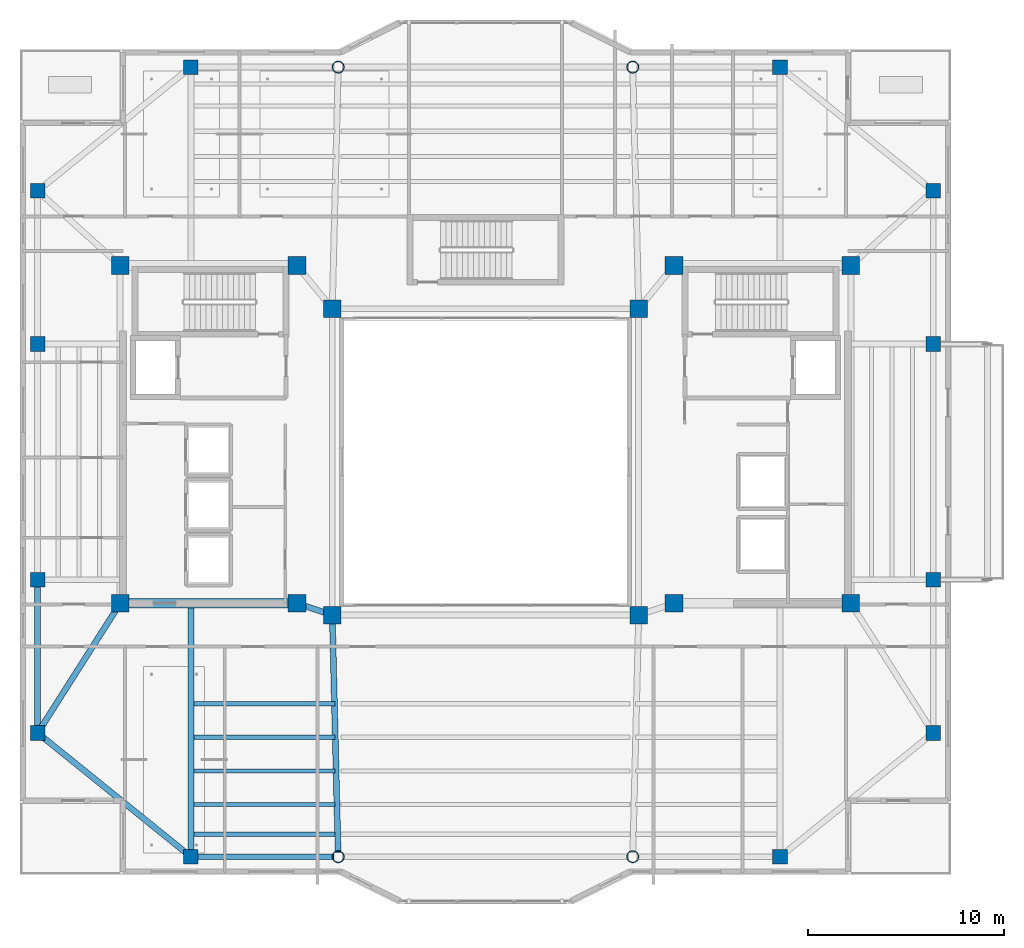
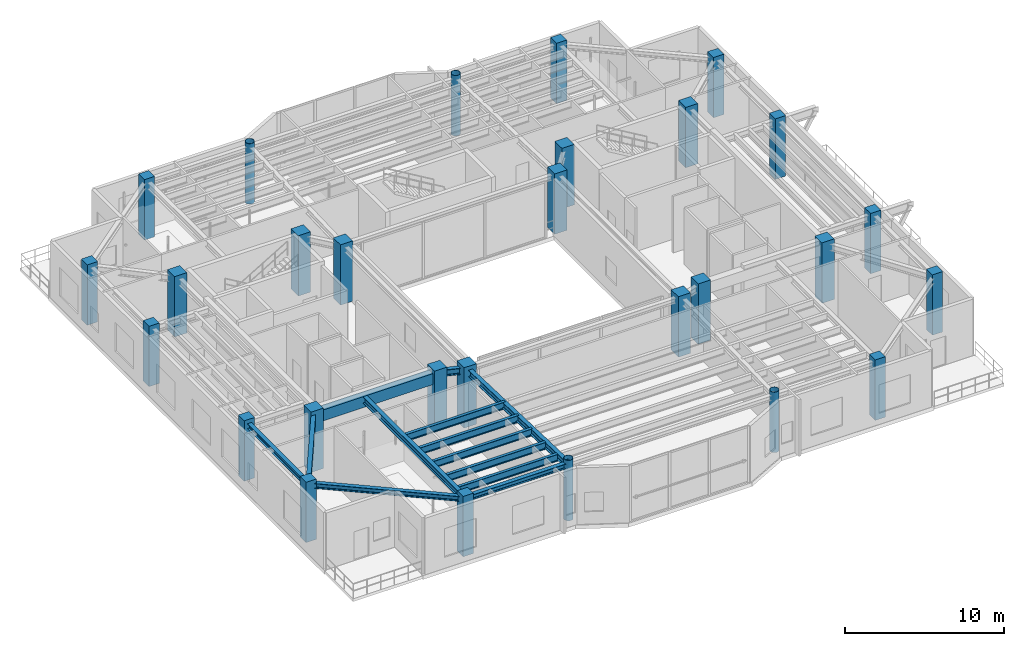
# One storey, part 1 of 23: 28 columns, 13 beams.
"""IFC4 building model written with IfcOpenShell, lengths in metres."""

from ifc_helpers import new_model, si_unit, direction, frame, origin, origin_2d, place, context, subcontext, project, spatial, rectangle, hollow_circle, i_section, extrude, material, material_profile, profile_set, type_object, element, save


model = new_model("IFC4")

# Units and contexts
model_context = context("Model", 3, precision=1e-05, world=origin(), true_north=direction((0.0, 1.0)))
body_context = subcontext(model_context, "Body", "Model", "MODEL_VIEW")
ifc_project = project(units=[si_unit("LENGTHUNIT", "METRE"), si_unit("AREAUNIT", "SQUARE_METRE"), si_unit("VOLUMEUNIT", "CUBIC_METRE"), si_unit("PLANEANGLEUNIT", "RADIAN"), si_unit("MASSUNIT", "GRAM", prefix="KILO")], contexts=[model_context])

# Site, building, storey
site_placement = place(None, origin())
site = spatial("IfcSite", under=ifc_project, at=site_placement, CompositionType="ELEMENT")
building_placement = place(site_placement, origin())
building = spatial("IfcBuilding", under=site, at=building_placement, Name="Tarnavaz Court Tower", CompositionType="ELEMENT")
storey_placement = place(building_placement, frame((0.0, 0.0, 227.10009765625)))
storey = spatial("IfcBuildingStorey", under=building, at=storey_placement, Name="L62", CompositionType="ELEMENT", Elevation=227.10009765625)

# Columns
ifc_material_1 = material(Name="Concrete C50/60", Category="concrete")
ifc_material_profile_1 = material_profile(ifc_material_1, rectangle(XDim=0.75, YDim=0.75, at=origin_2d()), Name="RC 750X750")
ifc_profile_set_1 = profile_set([ifc_material_profile_1], Name="Concrete C50/60")
column_type_1 = type_object("IfcColumnType", Name="CL-RC750", PredefinedType="COLUMN", material=ifc_profile_set_1)
for number, where, z_axis, x_axis, name in (
    (1, (-15.0, 20.10009765625, 0.0), (0.0, 0.0, 1.0), (1.0, 0.0, 0.0), "L62 Column PN-1"),
    (2, (15.0, 20.10009765625, 0.0), (0.0, 0.0, 1.0), (1.0, 0.0, 0.0), "L62 Column PN-4"),
    (3, (-15.0, -20.10009765625, 0.0), (0.0, 0.0, 1.0), (1.0, 0.0, 0.0), "L62 Column PS-1"),
    (4, (15.0, -20.10009765625, 0.0), (0.0, 0.0, 1.0), (1.0, 0.0, 0.0), "L62 Column PS-4"),
    (5, (22.800048828125, -13.800048828125, 0.0), (0.0, 0.0, 1.0), (1.0, 0.0, 0.0), "L62 Column PE-1"),
    (6, (22.800048828125, -6.0, 0.0), (0.0, 0.0, 1.0), (1.0, 0.0, 0.0), "L62 Column PE-2"),
    (7, (22.800048828125, 6.0, 0.0), (0.0, 0.0, 1.0), (1.0, 0.0, 0.0), "L62 Column PE-3"),
    (8, (22.800048828125, 13.800048828125, 0.0), (0.0, 0.0, 1.0), (1.0, 0.0, 0.0), "L62 Column PE-4"),
    (9, (-22.800048828125, -13.800048828125, 0.0), (0.0, 0.0, 1.0), (1.0, 0.0, 0.0), "L62 Column PW-1"),
    (10, (-22.800048828125, -6.0, 0.0), (0.0, 0.0, 1.0), (1.0, 0.0, 0.0), "L62 Column PW-2"),
    (11, (-22.800048828125, 6.0, 0.0), (0.0, 0.0, 1.0), (1.0, 0.0, 0.0), "L62 Column PW-3"),
    (12, (-22.800048828125, 13.800048828125, 0.0), (0.0, 0.0, 1.0), (1.0, 0.0, 0.0), "L62 Column PW-4"),
):
    element("IfcColumn", number, at=place(storey_placement, frame(where, z_axis=z_axis, x_axis=x_axis)), inside=storey, type_object=column_type_1, Name=name, PredefinedType="COLUMN", context=body_context, shape_type="SweptSolid", body=[
        extrude(rectangle(XDim=0.75, YDim=0.75, at=origin_2d()), origin(), (0.0, 0.0, 1.0), 4.64990234375),
    ])
ifc_material_profile_2 = material_profile(ifc_material_1, rectangle(XDim=0.89990234375, YDim=0.89990234375, at=origin_2d()), Name="RC 900X900")
ifc_profile_set_2 = profile_set([ifc_material_profile_2], Name="Concrete C50/60")
column_type_2 = type_object("IfcColumnType", Name="CL-RC900", PredefinedType="COLUMN", material=ifc_profile_set_2)
for number, where, z_axis, x_axis, name in (
    (13, (-7.800048828125, -7.800048828125, 0.0), (0.0, 0.0, 1.0), (1.0, 0.0, 0.0), "L62 Column IW-SW"),
    (14, (7.800048828125, -7.800048828125, 0.0), (0.0, 0.0, 1.0), (1.0, 0.0, 0.0), "L62 Column IW-SE"),
    (15, (-7.800048828125, 7.800048828125, 0.0), (0.0, 0.0, 1.0), (1.0, 0.0, 0.0), "L62 Column IW-NW"),
    (16, (7.800048828125, 7.800048828125, 0.0), (0.0, 0.0, 1.0), (1.0, 0.0, 0.0), "L62 Column IW-NE"),
    (17, (-9.60009765625, -7.199951171875, 0.0), (0.0, 0.0, 1.0), (1.0, 0.0, 0.0), "L62 Column CW-SI"),
    (18, (-9.60009765625, 10.0, 0.0), (0.0, 0.0, 1.0), (1.0, 0.0, 0.0), "L62 Column CW-NI"),
    (19, (9.60009765625, -7.199951171875, 0.0), (0.0, 0.0, 1.0), (1.0, 0.0, 0.0), "L62 Column CE-SI"),
    (20, (9.60009765625, 10.0, 0.0), (0.0, 0.0, 1.0), (1.0, 0.0, 0.0), "L62 Column CE-NI"),
    (21, (-18.60009765625, -7.199951171875, 0.0), (0.0, 0.0, 1.0), (1.0, 0.0, 0.0), "L62 Column CW-SO"),
    (22, (-18.60009765625, 10.0, 0.0), (0.0, 0.0, 1.0), (1.0, 0.0, 0.0), "L62 Column CW-NO"),
    (23, (18.60009765625, -7.199951171875, 0.0), (0.0, 0.0, 1.0), (1.0, 0.0, 0.0), "L62 Column CE-SO"),
    (24, (18.60009765625, 10.0, 0.0), (0.0, 0.0, 1.0), (1.0, 0.0, 0.0), "L62 Column CE-NO"),
):
    element("IfcColumn", number, at=place(storey_placement, frame(where, z_axis=z_axis, x_axis=x_axis)), inside=storey, type_object=column_type_2, Name=name, PredefinedType="COLUMN", context=body_context, shape_type="SweptSolid", body=[
        extrude(rectangle(XDim=0.89990234375, YDim=0.89990234375, at=origin_2d()), origin(), (0.0, 0.0, 1.0), 4.64990234375),
    ])
ifc_material_2 = material(Name="Steel S460", Category="steel")
ifc_material_profile_3 = material_profile(ifc_material_2, hollow_circle(Radius=0.304931640625, WallThickness=0.02490234375, at=origin_2d()), Name="CHS 610X25")
ifc_profile_set_3 = profile_set([ifc_material_profile_3], Name="Steel S460")
column_type_3 = type_object("IfcColumnType", Name="CL-S460-CHS610", PredefinedType="COLUMN", material=ifc_profile_set_3)
for number, where, z_axis, x_axis, name in (
    (25, (-7.5, 20.10009765625, 0.0), (0.0, 0.0, 1.0), (1.0, 0.0, 0.0), "L62 Column PN-2"),
    (26, (7.5, 20.10009765625, 0.0), (0.0, 0.0, 1.0), (1.0, 0.0, 0.0), "L62 Column PN-3"),
    (27, (-7.5, -20.10009765625, 0.0), (0.0, 0.0, 1.0), (1.0, 0.0, 0.0), "L62 Column PS-2"),
    (28, (7.5, -20.10009765625, 0.0), (0.0, 0.0, 1.0), (1.0, 0.0, 0.0), "L62 Column PS-3"),
):
    element("IfcColumn", number, at=place(storey_placement, frame(where, z_axis=z_axis, x_axis=x_axis)), inside=storey, type_object=column_type_3, Name=name, PredefinedType="COLUMN", context=body_context, shape_type="SweptSolid", body=[
        extrude(hollow_circle(Radius=0.304931640625, WallThickness=0.02490234375, at=origin_2d()), origin(), (0.0, 0.0, 1.0), 4.64990234375),
    ])

# Beams
ifc_material_profile_4 = material_profile(ifc_material_1, rectangle(XDim=0.5, YDim=0.85009765625, at=origin_2d()), Name="RC 500X850")
ifc_profile_set_4 = profile_set([ifc_material_profile_4], Name="Concrete C50/60")
beam_type_1 = type_object("IfcBeamType", Name="BM-CB850", PredefinedType="LINTEL", material=ifc_profile_set_4)
beam_1_placement = place(storey_placement, frame((-18.3798828125, -7.199951171875, 3.9248046875), z_axis=(1.0, 0.0, 0.0), x_axis=(0.0, 1.0, 0.0)))
element("IfcBeam", 29, at=beam_1_placement, inside=storey, type_object=beam_type_1, Name="L62 Beam IN-CW-SO-CW-SI", PredefinedType="LINTEL", context=body_context, shape_type="SweptSolid", body=[
    extrude(rectangle(XDim=0.5, YDim=0.85009765625, at=origin_2d()), origin(), (0.0, 0.0, 1.0), 8.559814453125),
])
ifc_material_3 = material(Name="Steel S355", Category="steel")
ifc_material_profile_5 = material_profile(ifc_material_3, i_section(OverallWidth=0.300048828125, OverallDepth=0.5, WebThickness=0.014404296875, FlangeThickness=0.028076171875, FilletRadius=0.027099609375, at=origin_2d()), Name="HEB 500")
ifc_profile_set_5 = profile_set([ifc_material_profile_5], Name="Steel S355")
beam_type_2 = type_object("IfcBeamType", Name="BM-G-HEB500", PredefinedType="USERDEFINED", material=ifc_profile_set_5)
beam_2_placement = place(storey_placement, frame((-9.391357421875, -7.26953125, 4.099853515625), z_axis=(0.948666544706, -0.316278021615, 0.0), x_axis=(0.316278021615, 0.948666544706, 0.0)))
element("IfcBeam", 30, at=beam_2_placement, inside=storey, type_object=beam_type_2, Name="L62 Beam IN-CW-SI-IW-SW", ObjectType="GIRDER", PredefinedType="USERDEFINED", context=body_context, shape_type="SweptSolid", body=[
    extrude(i_section(OverallWidth=0.300048828125, OverallDepth=0.5, WebThickness=0.014404296875, FlangeThickness=0.028076171875, FilletRadius=0.027099609375, at=origin_2d()), origin(), (0.0, 0.0, 1.0), 1.457275390625),
])
beam_3_placement = place(storey_placement, frame((-15.0, -7.239990234375, 4.099853515625), z_axis=(0.0, -1.0, 0.0), x_axis=(1.0, 0.0, 0.0)))
element("IfcBeam", 31, at=beam_3_placement, inside=storey, type_object=beam_type_2, Name="L62 Beam RG-05", ObjectType="GIRDER", PredefinedType="USERDEFINED", context=body_context, shape_type="SweptSolid", body=[
    extrude(i_section(OverallWidth=0.300048828125, OverallDepth=0.5, WebThickness=0.014404296875, FlangeThickness=0.028076171875, FilletRadius=0.027099609375, at=origin_2d()), origin(), (0.0, 0.0, 1.0), 12.639892578125),
])
beam_4_placement = place(storey_placement, frame((-7.794677734375, -8.02001953125, 4.099853515625), z_axis=(0.024386002211, -0.99970261723, 0.0), x_axis=(0.99970261723, 0.024386002211, 0.0)))
element("IfcBeam", 32, at=beam_4_placement, inside=storey, type_object=beam_type_2, Name="L62 Beam RG-06", ObjectType="GIRDER", PredefinedType="USERDEFINED", context=body_context, shape_type="SweptSolid", body=[
    extrude(i_section(OverallWidth=0.300048828125, OverallDepth=0.5, WebThickness=0.014404296875, FlangeThickness=0.028076171875, FilletRadius=0.027099609375, at=origin_2d()), origin(), (0.0, 0.0, 1.0), 11.863525390625),
])
beam_5_placement = place(storey_placement, frame((-18.718017578125, -7.385498046875, 4.099853515625), z_axis=(-0.536871212964, -0.843664210863, 0.0), x_axis=(0.843664210863, -0.536871212964, 0.0)))
element("IfcBeam", 33, at=beam_5_placement, inside=storey, type_object=beam_type_2, Name="L62 Beam RG-15", ObjectType="GIRDER", PredefinedType="USERDEFINED", context=body_context, shape_type="SweptSolid", body=[
    extrude(i_section(OverallWidth=0.300048828125, OverallDepth=0.5, WebThickness=0.014404296875, FlangeThickness=0.028076171875, FilletRadius=0.027099609375, at=origin_2d()), origin(), (0.0, 0.0, 1.0), 7.38330078125),
])
ifc_material_profile_6 = material_profile(ifc_material_3, i_section(OverallWidth=0.2099609375, OverallDepth=0.550048828125, WebThickness=0.010986328125, FlangeThickness=0.01708984375, FilletRadius=0.02392578125, at=origin_2d()), Name="IPE 550")
ifc_profile_set_6 = profile_set([ifc_material_profile_6], Name="Steel S355")
beam_type_3 = type_object("IfcBeamType", Name="BM-J-IPE550", PredefinedType="JOIST", material=ifc_profile_set_6)
for number, where, z_axis, x_axis, name in (
    (34, (-14.85009765625, -12.31005859375, 4.074951171875), (1.0, 0.0, 0.0), (0.0, 1.0, 0.0), "L62 Beam JS1-1"),
    (35, (-14.85009765625, -14.02001953125, 4.074951171875), (1.0, 0.0, 0.0), (0.0, 1.0, 0.0), "L62 Beam JS2-1"),
    (36, (-14.85009765625, -15.72998046875, 4.074951171875), (1.0, 0.0, 0.0), (0.0, 1.0, 0.0), "L62 Beam JS3-1"),
    (37, (-14.85009765625, -17.43994140625, 4.074951171875), (1.0, 0.0, 0.0), (0.0, 1.0, 0.0), "L62 Beam JS4-1"),
    (38, (-14.85009765625, -18.9599609375, 4.074951171875), (1.0, 0.0, 0.0), (0.0, 1.0, 0.0), "L62 Beam JS5-1"),
):
    element("IfcBeam", number, at=place(storey_placement, frame(where, z_axis=z_axis, x_axis=x_axis)), inside=storey, type_object=beam_type_3, Name=name, PredefinedType="JOIST", context=body_context, shape_type="SweptSolid", body=[
        extrude(i_section(OverallWidth=0.2099609375, OverallDepth=0.550048828125, WebThickness=0.010986328125, FlangeThickness=0.01708984375, FilletRadius=0.02392578125, at=origin_2d()), origin(), (0.0, 0.0, 1.0), 7.2001953125),
    ])
ifc_material_profile_7 = material_profile(ifc_material_3, i_section(OverallWidth=0.300048828125, OverallDepth=0.389892578125, WebThickness=0.010986328125, FlangeThickness=0.01904296875, FilletRadius=0.027099609375, at=origin_2d()), Name="HEA 400")
ifc_profile_set_7 = profile_set([ifc_material_profile_7], Name="Steel S355")
beam_type_4 = type_object("IfcBeamType", Name="BM-SP-HEA400", PredefinedType="BEAM", material=ifc_profile_set_7)
beam_6_placement = place(storey_placement, frame((-14.780029296875, -20.10009765625, 4.15478515625), z_axis=(1.0, 0.0, 0.0), x_axis=(0.0, 1.0, 0.0)))
element("IfcBeam", 39, at=beam_6_placement, inside=storey, type_object=beam_type_4, Name="L62 Beam PR-PS-1-PS-2", PredefinedType="BEAM", context=body_context, shape_type="SweptSolid", body=[
    extrude(i_section(OverallWidth=0.300048828125, OverallDepth=0.389892578125, WebThickness=0.010986328125, FlangeThickness=0.01904296875, FilletRadius=0.027099609375, at=origin_2d()), origin(), (0.0, 0.0, 1.0), 7.06005859375),
])
beam_7_placement = place(storey_placement, frame((-22.800048828125, -13.580078125, 4.15478515625), z_axis=(0.0, 1.0, 0.0), x_axis=(-1.0, 0.0, 0.0)))
element("IfcBeam", 40, at=beam_7_placement, inside=storey, type_object=beam_type_4, Name="L62 Beam PR-PW-1-PW-2", PredefinedType="BEAM", context=body_context, shape_type="SweptSolid", body=[
    extrude(i_section(OverallWidth=0.300048828125, OverallDepth=0.389892578125, WebThickness=0.010986328125, FlangeThickness=0.01904296875, FilletRadius=0.027099609375, at=origin_2d()), origin(), (0.0, 0.0, 1.0), 7.360107421875),
])
beam_8_placement = place(storey_placement, frame((-15.171142578125, -19.9619140625, 4.15478515625), z_axis=(-0.777935913531, 0.628343627674, 0.0), x_axis=(-0.628343627674, -0.777935913531, 0.0)))
element("IfcBeam", 41, at=beam_8_placement, inside=storey, type_object=beam_type_4, Name="L62 Beam PR-PS-1-PW-1", PredefinedType="BEAM", context=body_context, shape_type="SweptSolid", body=[
    extrude(i_section(OverallWidth=0.300048828125, OverallDepth=0.389892578125, WebThickness=0.010986328125, FlangeThickness=0.01904296875, FilletRadius=0.027099609375, at=origin_2d()), origin(), (0.0, 0.0, 1.0), 9.586669921875),
])

save(model, "model.ifc")
